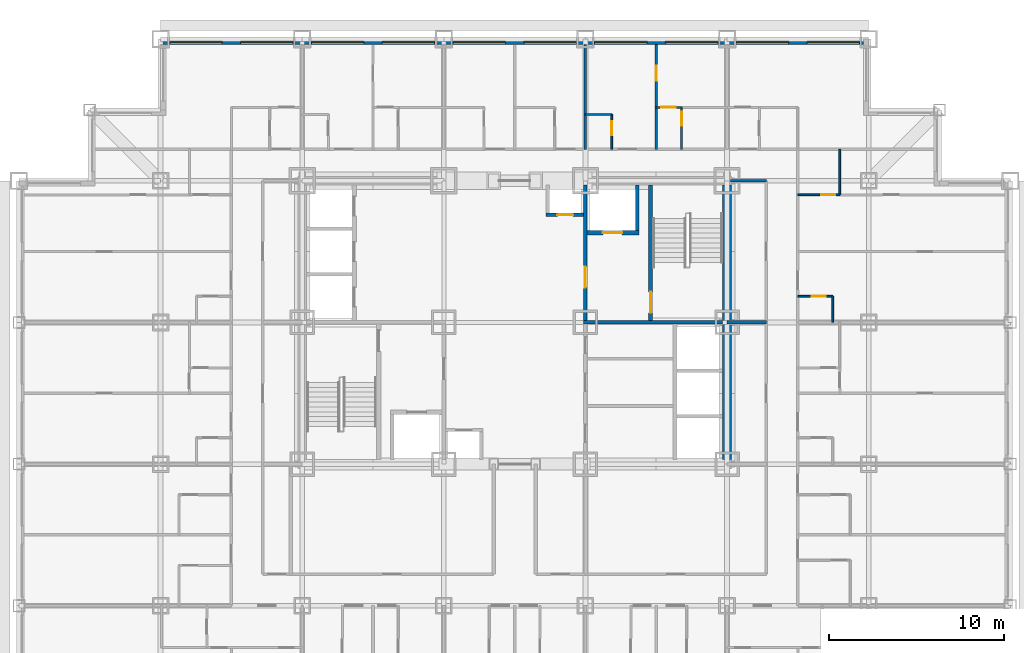
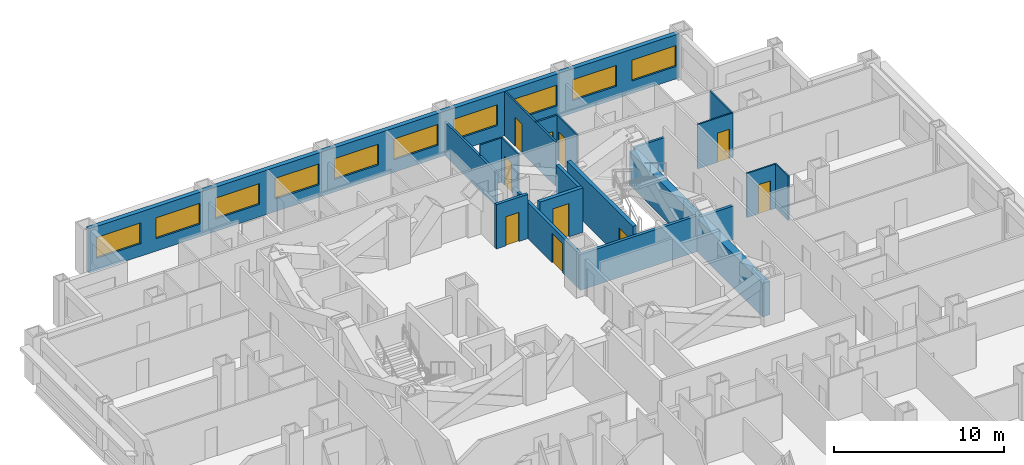
# One storey, part 9 of 11: 20 walls, 10 doors, 10 windows, 20 openings.
"""IFC4 building model written with IfcOpenShell, lengths in metres."""

from ifc_helpers import new_model, si_unit, direction, frame, frame_2d, origin, place, context, subcontext, project, spatial, rectangle, extrude, material, layer, layer_set, type_object, element, fill, save


model = new_model("IFC4")

# Units and contexts
model_context = context("Model", 3, precision=1e-05, world=origin(), true_north=direction((0.0, 1.0)))
body_context = subcontext(model_context, "Body", "Model", "MODEL_VIEW")
ifc_project = project(units=[si_unit("LENGTHUNIT", "METRE"), si_unit("AREAUNIT", "SQUARE_METRE"), si_unit("VOLUMEUNIT", "CUBIC_METRE"), si_unit("PLANEANGLEUNIT", "RADIAN"), si_unit("MASSUNIT", "GRAM", prefix="KILO")], contexts=[model_context])

# Site, building, storey
site_placement = place(None, origin())
site = spatial("IfcSite", under=ifc_project, at=site_placement, CompositionType="ELEMENT")
building_placement = place(site_placement, origin())
building = spatial("IfcBuilding", under=site, at=building_placement, Name="Kopane Lantern Tower", CompositionType="ELEMENT")
storey_placement = place(building_placement, frame((0.0, 0.0, 84.0)))
storey = spatial("IfcBuildingStorey", under=building, at=storey_placement, Name="L21", CompositionType="ELEMENT", Elevation=84.0)

# Wall, opening, door
ifc_material_1 = material(Name="Gypsum board on steel studs", Category="steel")
ifc_layer_1 = layer(ifc_material_1, 0.1201171875)
ifc_layer_set_1 = layer_set([ifc_layer_1], Name="APARTMENT INTERNAL WALL 120")
wall_type_1 = type_object("IfcWallType", Name="APARTMENT INTERNAL WALL 120", PredefinedType="PARTITIONING", material=ifc_layer_set_1)
wall_1_placement = place(storey_placement, frame((36.449951171875, 42.300048828125, 0.0), z_axis=(0.0, 0.0, 1.0), x_axis=(0.0, 1.0, 0.0)))
wall_1 = element("IfcWall", 1, at=wall_1_placement, inside=storey, type_object=wall_type_1, Name="Apartment Internal Wall 120 L21", PredefinedType="PARTITIONING", context=body_context, shape_type="SweptSolid", body=[
    extrude(rectangle(XDim=6.0, YDim=0.1201171875, at=frame_2d((3.0, 0.0))), origin(), (0.0, 0.0, 1.0), 3.18994140625),
])
opening_1_placement = place(wall_1_placement, frame((3.925048828125, 0.0, 0.0)))
opening_1 = element("IfcOpeningElement", 2, at=opening_1_placement, cuts=wall_1, Name="Opening L21-032", PredefinedType="OPENING", context=body_context, shape_type="SweptSolid", body=[
    extrude(rectangle(XDim=0.85009765625, YDim=2.10009765625, at=frame_2d((0.425048828125, 1.050048828125))), frame((0.0, 0.070068359375, 0.0), z_axis=(0.0, -1.0, 0.0), x_axis=(1.0, 0.0, 0.0)), (0.0, 0.0, 1.0), 0.14013671875),
])
ifc_material_2 = material(Name="Timber door set", Category="wood")
door_type_1 = type_object("IfcDoorType", Name="DOOR D4 850x2100", OperationType="SINGLE_SWING_LEFT", PredefinedType="DOOR", material=ifc_material_2)
door_1_placement = place(opening_1_placement, origin())
door_1 = element("IfcDoor", 3, at=door_1_placement, inside=storey, type_object=door_type_1, Name="Door L21-032", OperationType="SINGLE_SWING_RIGHT", OverallHeight=2.10009765625, OverallWidth=0.85009765625, PredefinedType="DOOR", context=body_context, shape_type="SweptSolid", body=[
    extrude(rectangle(XDim=0.85009765625, YDim=2.10009765625, at=frame_2d((0.425048828125, 1.050048828125))), frame((0.0, 0.02490234375, 0.0), z_axis=(0.0, -1.0, 0.0), x_axis=(1.0, 0.0, 0.0)), (0.0, 0.0, 1.0), 0.050048828125),
])
fill(opening_1, door_1)

wall_2_placement = place(storey_placement, frame((36.449951171875, 44.699951171875, 0.0), z_axis=(0.0, 0.0, 1.0), x_axis=(1.0, 0.0, 0.0)))
wall_2 = element("IfcWall", 4, at=wall_2_placement, inside=storey, type_object=wall_type_1, Name="Apartment Internal Wall 120 L21", PredefinedType="PARTITIONING", context=body_context, shape_type="SweptSolid", body=[
    extrude(rectangle(XDim=1.4599609375, YDim=0.1201171875, at=frame_2d((0.72998046875, 0.0))), origin(), (0.0, 0.0, 1.0), 3.18994140625),
])
opening_2_placement = place(wall_2_placement, frame((0.27490234375, 0.0, 0.0)))
opening_2 = element("IfcOpeningElement", 5, at=opening_2_placement, cuts=wall_2, Name="Opening L21-072", PredefinedType="OPENING", context=body_context, shape_type="SweptSolid", body=[
    extrude(rectangle(XDim=0.85009765625, YDim=2.10009765625, at=frame_2d((0.425048828125, 1.050048828125))), frame((0.0, 0.070068359375, 0.0), z_axis=(0.0, -1.0, 0.0), x_axis=(1.0, 0.0, 0.0)), (0.0, 0.0, 1.0), 0.14013671875),
])
door_2_placement = place(opening_2_placement, origin())
door_2 = element("IfcDoor", 6, at=door_2_placement, inside=storey, type_object=door_type_1, Name="Door L21-072", OperationType="SINGLE_SWING_LEFT", OverallHeight=2.10009765625, OverallWidth=0.85009765625, PredefinedType="DOOR", context=body_context, shape_type="SweptSolid", body=[
    extrude(rectangle(XDim=0.85009765625, YDim=2.10009765625, at=frame_2d((0.425048828125, 1.050048828125))), frame((0.0, 0.02490234375, 0.0), z_axis=(0.0, -1.0, 0.0), x_axis=(1.0, 0.0, 0.0)), (0.0, 0.0, 1.0), 0.050048828125),
])
fill(opening_2, door_2)

# Wall
ifc_material_3 = material(Name="Moisture-resistant board on steel studs", Category="steel")
ifc_layer_2 = layer(ifc_material_3, 0.10009765625)
ifc_layer_set_2 = layer_set([ifc_layer_2], Name="BATHROOM WALL 100")
wall_type_2 = type_object("IfcWallType", Name="BATHROOM WALL 100", PredefinedType="PARTITIONING", material=ifc_layer_set_2)
wall_3_placement = place(storey_placement, frame((32.39990234375, 44.300048828125, 0.0), z_axis=(0.0, 0.0, 1.0), x_axis=(1.0, 0.0, 0.0)))
element("IfcWall", 7, at=wall_3_placement, inside=storey, type_object=wall_type_2, Name="Bathroom Wall 100 L21", PredefinedType="PARTITIONING", context=body_context, shape_type="SweptSolid", body=[
    extrude(rectangle(XDim=1.5, YDim=0.10009765625, at=frame_2d((0.75, 0.0))), origin(), (0.0, 0.0, 1.0), 3.18994140625),
])

# Wall, opening, door
wall_4_placement = place(storey_placement, frame((33.89990234375, 42.300048828125, 0.0), z_axis=(0.0, 0.0, 1.0), x_axis=(0.0, 1.0, 0.0)))
wall_4 = element("IfcWall", 8, at=wall_4_placement, inside=storey, type_object=wall_type_2, Name="Bathroom Wall 100 L21", PredefinedType="PARTITIONING", context=body_context, shape_type="SweptSolid", body=[
    extrude(rectangle(XDim=2.0, YDim=0.10009765625, at=frame_2d((1.0, 0.0))), origin(), (0.0, 0.0, 1.0), 3.18994140625),
])
opening_3_placement = place(wall_4_placement, frame((0.800048828125, 0.0, 0.0)))
opening_3 = element("IfcOpeningElement", 9, at=opening_3_placement, cuts=wall_4, Name="Opening L21-029", PredefinedType="OPENING", context=body_context, shape_type="SweptSolid", body=[
    extrude(rectangle(XDim=0.800048828125, YDim=2.10009765625, at=frame_2d((0.39990234375, 1.050048828125))), frame((0.0, 0.06005859375, 0.0), z_axis=(0.0, -1.0, 0.0), x_axis=(1.0, 0.0, 0.0)), (0.0, 0.0, 1.0), 0.1201171875),
])
ifc_material_4 = material(Name="Timber door set", Category="wood")
door_type_2 = type_object("IfcDoorType", Name="DOOR D2 800x2100", OperationType="SINGLE_SWING_LEFT", PredefinedType="DOOR", material=ifc_material_4)
door_3_placement = place(opening_3_placement, origin())
door_3 = element("IfcDoor", 10, at=door_3_placement, inside=storey, type_object=door_type_2, Name="Door L21-029", OperationType="SINGLE_SWING_RIGHT", OverallHeight=2.10009765625, OverallWidth=0.800048828125, PredefinedType="DOOR", context=body_context, shape_type="SweptSolid", body=[
    extrude(rectangle(XDim=0.800048828125, YDim=2.10009765625, at=frame_2d((0.39990234375, 1.050048828125))), frame((0.0, 0.02490234375, 0.0), z_axis=(0.0, -1.0, 0.0), x_axis=(1.0, 0.0, 0.0)), (0.0, 0.0, 1.0), 0.050048828125),
])
fill(opening_3, door_3)

wall_5_placement = place(storey_placement, frame((37.89990234375, 42.300048828125, 0.0), z_axis=(0.0, 0.0, 1.0), x_axis=(0.0, 1.0, 0.0)))
wall_5 = element("IfcWall", 11, at=wall_5_placement, inside=storey, type_object=wall_type_2, Name="Bathroom Wall 100 L21", PredefinedType="PARTITIONING", context=body_context, shape_type="SweptSolid", body=[
    extrude(rectangle(XDim=2.39990234375, YDim=0.10009765625, at=frame_2d((1.199951171875, 0.0))), origin(), (0.0, 0.0, 1.0), 3.18994140625),
])
opening_4_placement = place(wall_5_placement, frame((1.35009765625, 0.0, 0.0)))
opening_4 = element("IfcOpeningElement", 12, at=opening_4_placement, cuts=wall_5, Name="Opening L21-031", PredefinedType="OPENING", context=body_context, shape_type="SweptSolid", body=[
    extrude(rectangle(XDim=0.800048828125, YDim=2.10009765625, at=frame_2d((0.39990234375, 1.050048828125))), frame((0.0, 0.06005859375, 0.0), z_axis=(0.0, -1.0, 0.0), x_axis=(1.0, 0.0, 0.0)), (0.0, 0.0, 1.0), 0.1201171875),
])
door_4_placement = place(opening_4_placement, origin())
door_4 = element("IfcDoor", 13, at=door_4_placement, inside=storey, type_object=door_type_2, Name="Door L21-031", OperationType="SINGLE_SWING_RIGHT", OverallHeight=2.10009765625, OverallWidth=0.800048828125, PredefinedType="DOOR", context=body_context, shape_type="SweptSolid", body=[
    extrude(rectangle(XDim=0.800048828125, YDim=2.10009765625, at=frame_2d((0.39990234375, 1.050048828125))), frame((0.0, 0.02490234375, 0.0), z_axis=(0.0, -1.0, 0.0), x_axis=(1.0, 0.0, 0.0)), (0.0, 0.0, 1.0), 0.050048828125),
])
fill(opening_4, door_4)

# Wall
wall_6_placement = place(storey_placement, frame((46.550048828125, 32.39990234375, 0.0), z_axis=(0.0, 0.0, 1.0), x_axis=(0.0, 1.0, 0.0)))
element("IfcWall", 14, at=wall_6_placement, inside=storey, type_object=wall_type_2, Name="Bathroom Wall 100 L21", PredefinedType="PARTITIONING", context=body_context, shape_type="SweptSolid", body=[
    extrude(rectangle(XDim=1.5, YDim=0.10009765625, at=frame_2d((0.75, 0.0))), origin(), (0.0, 0.0, 1.0), 3.18994140625),
])

# Wall, opening, door
wall_7_placement = place(storey_placement, frame((44.550048828125, 33.89990234375, 0.0), z_axis=(0.0, 0.0, 1.0), x_axis=(1.0, 0.0, 0.0)))
wall_7 = element("IfcWall", 15, at=wall_7_placement, inside=storey, type_object=wall_type_2, Name="Bathroom Wall 100 L21", PredefinedType="PARTITIONING", context=body_context, shape_type="SweptSolid", body=[
    extrude(rectangle(XDim=2.0, YDim=0.10009765625, at=frame_2d((1.0, 0.0))), origin(), (0.0, 0.0, 1.0), 3.18994140625),
])
opening_5_placement = place(wall_7_placement, frame((0.800048828125, 0.0, 0.0)))
opening_5 = element("IfcOpeningElement", 16, at=opening_5_placement, cuts=wall_7, Name="Opening L21-053", PredefinedType="OPENING", context=body_context, shape_type="SweptSolid", body=[
    extrude(rectangle(XDim=0.800048828125, YDim=2.10009765625, at=frame_2d((0.39990234375, 1.050048828125))), frame((0.0, 0.06005859375, 0.0), z_axis=(0.0, -1.0, 0.0), x_axis=(1.0, 0.0, 0.0)), (0.0, 0.0, 1.0), 0.1201171875),
])
door_5_placement = place(opening_5_placement, origin())
door_5 = element("IfcDoor", 17, at=door_5_placement, inside=storey, type_object=door_type_2, Name="Door L21-053", OperationType="SINGLE_SWING_LEFT", OverallHeight=2.10009765625, OverallWidth=0.800048828125, PredefinedType="DOOR", context=body_context, shape_type="SweptSolid", body=[
    extrude(rectangle(XDim=0.800048828125, YDim=2.10009765625, at=frame_2d((0.39990234375, 1.050048828125))), frame((0.0, 0.02490234375, 0.0), z_axis=(0.0, -1.0, 0.0), x_axis=(1.0, 0.0, 0.0)), (0.0, 0.0, 1.0), 0.050048828125),
])
fill(opening_5, door_5)

# Wall
wall_8_placement = place(storey_placement, frame((46.949951171875, 39.699951171875, 0.0), z_axis=(0.0, 0.0, 1.0), x_axis=(0.0, 1.0, 0.0)))
element("IfcWall", 18, at=wall_8_placement, inside=storey, type_object=wall_type_2, Name="Bathroom Wall 100 L21", PredefinedType="PARTITIONING", context=body_context, shape_type="SweptSolid", body=[
    extrude(rectangle(XDim=2.60009765625, YDim=0.10009765625, at=frame_2d((1.300048828125, 0.0))), origin(), (0.0, 0.0, 1.0), 3.18994140625),
])

# Wall, opening, door
wall_9_placement = place(storey_placement, frame((44.550048828125, 39.699951171875, 0.0), z_axis=(0.0, 0.0, 1.0), x_axis=(1.0, 0.0, 0.0)))
wall_9 = element("IfcWall", 19, at=wall_9_placement, inside=storey, type_object=wall_type_2, Name="Bathroom Wall 100 L21", PredefinedType="PARTITIONING", context=body_context, shape_type="SweptSolid", body=[
    extrude(rectangle(XDim=2.39990234375, YDim=0.10009765625, at=frame_2d((1.199951171875, 0.0))), origin(), (0.0, 0.0, 1.0), 3.18994140625),
])
opening_6_placement = place(wall_9_placement, frame((1.35009765625, 0.0, 0.0)))
opening_6 = element("IfcOpeningElement", 20, at=opening_6_placement, cuts=wall_9, Name="Opening L21-055", PredefinedType="OPENING", context=body_context, shape_type="SweptSolid", body=[
    extrude(rectangle(XDim=0.800048828125, YDim=2.10009765625, at=frame_2d((0.39990234375, 1.050048828125))), frame((0.0, 0.06005859375, 0.0), z_axis=(0.0, -1.0, 0.0), x_axis=(1.0, 0.0, 0.0)), (0.0, 0.0, 1.0), 0.1201171875),
])
door_6_placement = place(opening_6_placement, origin())
door_6 = element("IfcDoor", 21, at=door_6_placement, inside=storey, type_object=door_type_2, Name="Door L21-055", OperationType="SINGLE_SWING_RIGHT", OverallHeight=2.10009765625, OverallWidth=0.800048828125, PredefinedType="DOOR", context=body_context, shape_type="SweptSolid", body=[
    extrude(rectangle(XDim=0.800048828125, YDim=2.10009765625, at=frame_2d((0.39990234375, 1.050048828125))), frame((0.0, 0.02490234375, 0.0), z_axis=(0.0, -1.0, 0.0), x_axis=(1.0, 0.0, 0.0)), (0.0, 0.0, 1.0), 0.050048828125),
])
fill(opening_6, door_6)

# Wall
ifc_material_5 = material(Name="Gypsum shaft wall EI 120", Category="gypsum")
ifc_layer_3 = layer(ifc_material_5, 0.5)
ifc_layer_set_3 = layer_set([ifc_layer_3], Name="CORE PERIMETER WALL 500 EI 120")
wall_type_3 = type_object("IfcWallType", Name="CORE PERIMETER WALL 500 EI 120", PredefinedType="SOLIDWALL", material=ifc_layer_set_3)
wall_10_placement = place(storey_placement, frame((40.5, 24.550048828125, 0.0), z_axis=(0.0, 0.0, 1.0), x_axis=(0.0, 1.0, 0.0)))
element("IfcWall", 22, at=wall_10_placement, inside=storey, type_object=wall_type_3, Name="Core shaft wall L21 PE", PredefinedType="SOLIDWALL", context=body_context, shape_type="SweptSolid", body=[
    extrude(rectangle(XDim=15.699951171875, YDim=0.5, at=frame_2d((7.85009765625, 0.0))), origin(), (0.0, 0.0, 1.0), 2.427734375),
])

# Wall, opening, door
ifc_material_6 = material(Name="Gypsum shaft wall EI 120", Category="gypsum")
ifc_layer_4 = layer(ifc_material_6, 0.25)
ifc_layer_set_4 = layer_set([ifc_layer_4], Name="CORE SHAFT WALL 250 EI 120")
wall_type_4 = type_object("IfcWallType", Name="CORE SHAFT WALL 250 EI 120", PredefinedType="SOLIDWALL", material=ifc_layer_set_4)
wall_11_placement = place(storey_placement, frame((36.125, 32.5, 0.0), z_axis=(0.0, 0.0, 1.0), x_axis=(0.0, 1.0, 0.0)))
wall_11 = element("IfcWall", 23, at=wall_11_placement, inside=storey, type_object=wall_type_4, Name="Core shaft wall L21 XST2", PredefinedType="SOLIDWALL", context=body_context, shape_type="SweptSolid", body=[
    extrude(rectangle(XDim=7.75, YDim=0.25, at=frame_2d((3.875, 0.0))), origin(), (0.0, 0.0, 1.0), 3.18994140625),
])
opening_7_placement = place(wall_11_placement, frame((0.449951171875, 0.0, 0.0)))
opening_7 = element("IfcOpeningElement", 24, at=opening_7_placement, cuts=wall_11, Name="Opening 21.SD2", PredefinedType="OPENING", context=body_context, shape_type="SweptSolid", body=[
    extrude(rectangle(XDim=1.199951171875, YDim=2.10009765625, at=frame_2d((0.60009765625, 1.050048828125))), frame((0.0, 0.135009765625, 0.0), z_axis=(0.0, -1.0, 0.0), x_axis=(1.0, 0.0, 0.0)), (0.0, 0.0, 1.0), 0.27001953125),
])
ifc_material_7 = material(Name="Steel door set", Category="steel")
door_type_3 = type_object("IfcDoorType", Name="STAIR DOOR 1200x2100 FD60S", OperationType="SINGLE_SWING_LEFT", PredefinedType="DOOR", material=ifc_material_7)
door_7_placement = place(opening_7_placement, origin())
door_7 = element("IfcDoor", 25, at=door_7_placement, inside=storey, type_object=door_type_3, Name="Stair door ST2 L21", OperationType="SINGLE_SWING_RIGHT", OverallHeight=2.10009765625, OverallWidth=1.199951171875, PredefinedType="DOOR", context=body_context, shape_type="SweptSolid", body=[
    extrude(rectangle(XDim=1.199951171875, YDim=2.10009765625, at=frame_2d((0.60009765625, 1.050048828125))), frame((0.0, 0.02490234375, 0.0), z_axis=(0.0, -1.0, 0.0), x_axis=(1.0, 0.0, 0.0)), (0.0, 0.0, 1.0), 0.050048828125),
])
fill(opening_7, door_7)

wall_12_placement = place(storey_placement, frame((32.5, 37.52490234375, 0.0), z_axis=(0.0, 0.0, 1.0), x_axis=(1.0, 0.0, 0.0)))
wall_12 = element("IfcWall", 26, at=wall_12_placement, inside=storey, type_object=wall_type_4, Name="Core shaft wall L21 YLF2", PredefinedType="SOLIDWALL", context=body_context, shape_type="SweptSolid", body=[
    extrude(rectangle(XDim=2.949951171875, YDim=0.25, at=frame_2d((1.47509765625, 0.0))), origin(), (0.0, 0.0, 1.0), 3.18994140625),
])
opening_8_placement = place(wall_12_placement, frame((0.89990234375, 0.0, 0.0)))
opening_8 = element("IfcOpeningElement", 27, at=opening_8_placement, cuts=wall_12, Name="Opening 21.LD-LF2", PredefinedType="OPENING", context=body_context, shape_type="SweptSolid", body=[
    extrude(rectangle(XDim=1.10009765625, YDim=2.39990234375, at=frame_2d((0.550048828125, 1.199951171875))), frame((0.0, 0.135009765625, 0.0), z_axis=(0.0, -1.0, 0.0), x_axis=(1.0, 0.0, 0.0)), (0.0, 0.0, 1.0), 0.27001953125),
])
ifc_material_8 = material(Name="Steel door set", Category="steel")
door_type_4 = type_object("IfcDoorType", Name="LIFT LANDING DOOR 1100x2400 FD60", OperationType="DOUBLE_DOOR_SLIDING", PredefinedType="DOOR", material=ifc_material_8)
door_8_placement = place(opening_8_placement, origin())
door_8 = element("IfcDoor", 28, at=door_8_placement, inside=storey, type_object=door_type_4, Name="Landing door LF2 L21", OperationType="DOUBLE_DOOR_SLIDING", OverallHeight=2.39990234375, OverallWidth=1.10009765625, PredefinedType="DOOR", context=body_context, shape_type="SweptSolid", body=[
    extrude(rectangle(XDim=1.10009765625, YDim=2.39990234375, at=frame_2d((0.550048828125, 1.199951171875))), frame((0.0, 0.02490234375, 0.0), z_axis=(0.0, -1.0, 0.0), x_axis=(1.0, 0.0, 0.0)), (0.0, 0.0, 1.0), 0.050048828125),
])
fill(opening_8, door_8)

# Walls
ifc_material_9 = material(Name="Gypsum board on steel studs", Category="steel")
ifc_layer_5 = layer(ifc_material_9, 0.14990234375)
ifc_layer_set_5 = layer_set([ifc_layer_5], Name="CORRIDOR WALL 150 EI 60")
wall_type_5 = type_object("IfcWallType", Name="CORRIDOR WALL 150 EI 60", PredefinedType="PARTITIONING", material=ifc_layer_set_5)
wall_13_placement = place(storey_placement, frame((42.75, 40.5, 0.0), z_axis=(0.0, 0.0, 1.0), x_axis=(-1.0, 0.0, 0.0)))
element("IfcWall", 29, at=wall_13_placement, inside=storey, type_object=wall_type_5, Name="Corridor Wall 150 Ei 60 L21", PredefinedType="PARTITIONING", context=body_context, shape_type="SweptSolid", body=[
    extrude(rectangle(XDim=2.050048828125, YDim=0.14990234375, at=frame_2d((1.02490234375, 0.0))), origin(), (0.0, 0.0, 1.0), 2.427734375),
])
ifc_material_10 = material(Name="Gypsum board on steel studs", Category="steel")
ifc_layer_6 = layer(ifc_material_10, 0.14990234375)
ifc_layer_set_6 = layer_set([ifc_layer_6], Name="DEMISING WALL 150 EI 60")
wall_type_6 = type_object("IfcWallType", Name="DEMISING WALL 150 EI 60", PredefinedType="PARTITIONING", material=ifc_layer_set_6)
wall_14_placement = place(storey_placement, frame((32.39990234375, 42.300048828125, 0.0), z_axis=(0.0, 0.0, 1.0), x_axis=(0.0, 1.0, 0.0)))
element("IfcWall", 30, at=wall_14_placement, inside=storey, type_object=wall_type_6, Name="Demising Wall 150 Ei 60 L21", PredefinedType="PARTITIONING", context=body_context, shape_type="SweptSolid", body=[
    extrude(rectangle(XDim=6.0, YDim=0.14990234375, at=frame_2d((3.0, 0.0))), origin(), (0.0, 0.0, 1.0), 2.427734375),
])

# Wall, openings, windows
ifc_material_11 = material(Name="Terracotta rainscreen on light steel framing", Category="masonry")
ifc_layer_7 = layer(ifc_material_11, 0.300048828125)
ifc_layer_set_7 = layer_set([ifc_layer_7], Name="EXTERNAL WALL EW1 300 TERRACOTTA")
wall_type_7 = type_object("IfcWallType", Name="EXTERNAL WALL EW1 300 TERRACOTTA", PredefinedType="SOLIDWALL", material=ifc_layer_set_7)
wall_15_placement = place(storey_placement, frame((48.300048828125, 48.449951171875, 0.0), z_axis=(0.0, 0.0, 1.0), x_axis=(-1.0, 0.0, 0.0)))
wall_15 = element("IfcWall", 31, at=wall_15_placement, inside=storey, type_object=wall_type_7, Name="External wall N L21", PredefinedType="SOLIDWALL", context=body_context, shape_type="SweptSolid", body=[
    extrude(rectangle(XDim=40.199951171875, YDim=0.300048828125, at=frame_2d((20.10009765625, 0.0))), origin(), (0.0, 0.0, 1.0), 3.18994140625),
])
opening_9_placement = place(wall_15_placement, frame((0.22509765625, 0.0, 0.89990234375)))
opening_9 = element("IfcOpeningElement", 32, at=opening_9_placement, cuts=wall_15, Name="Opening WR300150", PredefinedType="OPENING", context=body_context, shape_type="SweptSolid", body=[
    extrude(rectangle(XDim=3.0, YDim=1.5, at=frame_2d((1.5, 0.75))), frame((0.0, 0.159912109375, 0.0), z_axis=(0.0, -1.0, 0.0), x_axis=(1.0, 0.0, 0.0)), (0.0, 0.0, 1.0), 0.320068359375),
])
opening_10_placement = place(wall_15_placement, frame((4.27490234375, 0.0, 0.89990234375)))
opening_10 = element("IfcOpeningElement", 33, at=opening_10_placement, cuts=wall_15, Name="Opening WR300150", PredefinedType="OPENING", context=body_context, shape_type="SweptSolid", body=[
    extrude(rectangle(XDim=3.0, YDim=1.5, at=frame_2d((1.5, 0.75))), frame((0.0, 0.159912109375, 0.0), z_axis=(0.0, -1.0, 0.0), x_axis=(1.0, 0.0, 0.0)), (0.0, 0.0, 1.0), 0.320068359375),
])
opening_11_placement = place(wall_15_placement, frame((8.324951171875, 0.0, 0.89990234375)))
opening_11 = element("IfcOpeningElement", 34, at=opening_11_placement, cuts=wall_15, Name="Opening WR300150", PredefinedType="OPENING", context=body_context, shape_type="SweptSolid", body=[
    extrude(rectangle(XDim=3.0, YDim=1.5, at=frame_2d((1.5, 0.75))), frame((0.0, 0.159912109375, 0.0), z_axis=(0.0, -1.0, 0.0), x_axis=(1.0, 0.0, 0.0)), (0.0, 0.0, 1.0), 0.320068359375),
])
opening_12_placement = place(wall_15_placement, frame((12.375, 0.0, 0.89990234375)))
opening_12 = element("IfcOpeningElement", 35, at=opening_12_placement, cuts=wall_15, Name="Opening WR300150", PredefinedType="OPENING", context=body_context, shape_type="SweptSolid", body=[
    extrude(rectangle(XDim=3.0, YDim=1.5, at=frame_2d((1.5, 0.75))), frame((0.0, 0.159912109375, 0.0), z_axis=(0.0, -1.0, 0.0), x_axis=(1.0, 0.0, 0.0)), (0.0, 0.0, 1.0), 0.320068359375),
])
opening_13_placement = place(wall_15_placement, frame((16.425048828125, 0.0, 0.89990234375)))
opening_13 = element("IfcOpeningElement", 36, at=opening_13_placement, cuts=wall_15, Name="Opening WR300150", PredefinedType="OPENING", context=body_context, shape_type="SweptSolid", body=[
    extrude(rectangle(XDim=3.0, YDim=1.5, at=frame_2d((1.5, 0.75))), frame((0.0, 0.159912109375, 0.0), z_axis=(0.0, -1.0, 0.0), x_axis=(1.0, 0.0, 0.0)), (0.0, 0.0, 1.0), 0.320068359375),
])
opening_14_placement = place(wall_15_placement, frame((20.47509765625, 0.0, 0.89990234375)))
opening_14 = element("IfcOpeningElement", 37, at=opening_14_placement, cuts=wall_15, Name="Opening WR300150", PredefinedType="OPENING", context=body_context, shape_type="SweptSolid", body=[
    extrude(rectangle(XDim=3.0, YDim=1.5, at=frame_2d((1.5, 0.75))), frame((0.0, 0.159912109375, 0.0), z_axis=(0.0, -1.0, 0.0), x_axis=(1.0, 0.0, 0.0)), (0.0, 0.0, 1.0), 0.320068359375),
])
opening_15_placement = place(wall_15_placement, frame((24.52490234375, 0.0, 0.89990234375)))
opening_15 = element("IfcOpeningElement", 38, at=opening_15_placement, cuts=wall_15, Name="Opening WR300150", PredefinedType="OPENING", context=body_context, shape_type="SweptSolid", body=[
    extrude(rectangle(XDim=3.0, YDim=1.5, at=frame_2d((1.5, 0.75))), frame((0.0, 0.159912109375, 0.0), z_axis=(0.0, -1.0, 0.0), x_axis=(1.0, 0.0, 0.0)), (0.0, 0.0, 1.0), 0.320068359375),
])
opening_16_placement = place(wall_15_placement, frame((28.574951171875, 0.0, 0.89990234375)))
opening_16 = element("IfcOpeningElement", 39, at=opening_16_placement, cuts=wall_15, Name="Opening WR300150", PredefinedType="OPENING", context=body_context, shape_type="SweptSolid", body=[
    extrude(rectangle(XDim=3.0, YDim=1.5, at=frame_2d((1.5, 0.75))), frame((0.0, 0.159912109375, 0.0), z_axis=(0.0, -1.0, 0.0), x_axis=(1.0, 0.0, 0.0)), (0.0, 0.0, 1.0), 0.320068359375),
])
opening_17_placement = place(wall_15_placement, frame((32.625, 0.0, 0.89990234375)))
opening_17 = element("IfcOpeningElement", 40, at=opening_17_placement, cuts=wall_15, Name="Opening WR300150", PredefinedType="OPENING", context=body_context, shape_type="SweptSolid", body=[
    extrude(rectangle(XDim=3.0, YDim=1.5, at=frame_2d((1.5, 0.75))), frame((0.0, 0.159912109375, 0.0), z_axis=(0.0, -1.0, 0.0), x_axis=(1.0, 0.0, 0.0)), (0.0, 0.0, 1.0), 0.320068359375),
])
opening_18_placement = place(wall_15_placement, frame((36.675048828125, 0.0, 0.89990234375)))
opening_18 = element("IfcOpeningElement", 41, at=opening_18_placement, cuts=wall_15, Name="Opening WR300150", PredefinedType="OPENING", context=body_context, shape_type="SweptSolid", body=[
    extrude(rectangle(XDim=3.0, YDim=1.5, at=frame_2d((1.5, 0.75))), frame((0.0, 0.159912109375, 0.0), z_axis=(0.0, -1.0, 0.0), x_axis=(1.0, 0.0, 0.0)), (0.0, 0.0, 1.0), 0.320068359375),
])
ifc_material_12 = material(Name="Aluminium and clear glass", Category="aluminium")
window_type = type_object("IfcWindowType", Name="RIBBON WINDOW WR300150 3000x1500", PartitioningType="SINGLE_PANEL", PredefinedType="WINDOW", material=ifc_material_12)
window_1_placement = place(opening_9_placement, origin())
window_1 = element("IfcWindow", 42, at=window_1_placement, inside=storey, type_object=window_type, Name="Window N L21", OverallHeight=1.5, OverallWidth=3.0, PartitioningType="SINGLE_PANEL", PredefinedType="WINDOW", context=body_context, shape_type="SweptSolid", body=[
    extrude(rectangle(XDim=3.0, YDim=1.5, at=frame_2d((1.5, 0.75))), frame((0.0, 0.030029296875, 0.0), z_axis=(0.0, -1.0, 0.0), x_axis=(1.0, 0.0, 0.0)), (0.0, 0.0, 1.0), 0.06005859375),
])
fill(opening_9, window_1)
window_2_placement = place(opening_10_placement, origin())
window_2 = element("IfcWindow", 43, at=window_2_placement, inside=storey, type_object=window_type, Name="Window N L21", OverallHeight=1.5, OverallWidth=3.0, PartitioningType="SINGLE_PANEL", PredefinedType="WINDOW", context=body_context, shape_type="SweptSolid", body=[
    extrude(rectangle(XDim=3.0, YDim=1.5, at=frame_2d((1.5, 0.75))), frame((0.0, 0.030029296875, 0.0), z_axis=(0.0, -1.0, 0.0), x_axis=(1.0, 0.0, 0.0)), (0.0, 0.0, 1.0), 0.06005859375),
])
fill(opening_10, window_2)
window_3_placement = place(opening_11_placement, origin())
window_3 = element("IfcWindow", 44, at=window_3_placement, inside=storey, type_object=window_type, Name="Window N L21", OverallHeight=1.5, OverallWidth=3.0, PartitioningType="SINGLE_PANEL", PredefinedType="WINDOW", context=body_context, shape_type="SweptSolid", body=[
    extrude(rectangle(XDim=3.0, YDim=1.5, at=frame_2d((1.5, 0.75))), frame((0.0, 0.030029296875, 0.0), z_axis=(0.0, -1.0, 0.0), x_axis=(1.0, 0.0, 0.0)), (0.0, 0.0, 1.0), 0.06005859375),
])
fill(opening_11, window_3)
window_4_placement = place(opening_12_placement, origin())
window_4 = element("IfcWindow", 45, at=window_4_placement, inside=storey, type_object=window_type, Name="Window N L21", OverallHeight=1.5, OverallWidth=3.0, PartitioningType="SINGLE_PANEL", PredefinedType="WINDOW", context=body_context, shape_type="SweptSolid", body=[
    extrude(rectangle(XDim=3.0, YDim=1.5, at=frame_2d((1.5, 0.75))), frame((0.0, 0.030029296875, 0.0), z_axis=(0.0, -1.0, 0.0), x_axis=(1.0, 0.0, 0.0)), (0.0, 0.0, 1.0), 0.06005859375),
])
fill(opening_12, window_4)
window_5_placement = place(opening_13_placement, origin())
window_5 = element("IfcWindow", 46, at=window_5_placement, inside=storey, type_object=window_type, Name="Window N L21", OverallHeight=1.5, OverallWidth=3.0, PartitioningType="SINGLE_PANEL", PredefinedType="WINDOW", context=body_context, shape_type="SweptSolid", body=[
    extrude(rectangle(XDim=3.0, YDim=1.5, at=frame_2d((1.5, 0.75))), frame((0.0, 0.030029296875, 0.0), z_axis=(0.0, -1.0, 0.0), x_axis=(1.0, 0.0, 0.0)), (0.0, 0.0, 1.0), 0.06005859375),
])
fill(opening_13, window_5)
window_6_placement = place(opening_14_placement, origin())
window_6 = element("IfcWindow", 47, at=window_6_placement, inside=storey, type_object=window_type, Name="Window N L21", OverallHeight=1.5, OverallWidth=3.0, PartitioningType="SINGLE_PANEL", PredefinedType="WINDOW", context=body_context, shape_type="SweptSolid", body=[
    extrude(rectangle(XDim=3.0, YDim=1.5, at=frame_2d((1.5, 0.75))), frame((0.0, 0.030029296875, 0.0), z_axis=(0.0, -1.0, 0.0), x_axis=(1.0, 0.0, 0.0)), (0.0, 0.0, 1.0), 0.06005859375),
])
fill(opening_14, window_6)
window_7_placement = place(opening_15_placement, origin())
window_7 = element("IfcWindow", 48, at=window_7_placement, inside=storey, type_object=window_type, Name="Window N L21", OverallHeight=1.5, OverallWidth=3.0, PartitioningType="SINGLE_PANEL", PredefinedType="WINDOW", context=body_context, shape_type="SweptSolid", body=[
    extrude(rectangle(XDim=3.0, YDim=1.5, at=frame_2d((1.5, 0.75))), frame((0.0, 0.030029296875, 0.0), z_axis=(0.0, -1.0, 0.0), x_axis=(1.0, 0.0, 0.0)), (0.0, 0.0, 1.0), 0.06005859375),
])
fill(opening_15, window_7)
window_8_placement = place(opening_16_placement, origin())
window_8 = element("IfcWindow", 49, at=window_8_placement, inside=storey, type_object=window_type, Name="Window N L21", OverallHeight=1.5, OverallWidth=3.0, PartitioningType="SINGLE_PANEL", PredefinedType="WINDOW", context=body_context, shape_type="SweptSolid", body=[
    extrude(rectangle(XDim=3.0, YDim=1.5, at=frame_2d((1.5, 0.75))), frame((0.0, 0.030029296875, 0.0), z_axis=(0.0, -1.0, 0.0), x_axis=(1.0, 0.0, 0.0)), (0.0, 0.0, 1.0), 0.06005859375),
])
fill(opening_16, window_8)
window_9_placement = place(opening_17_placement, origin())
window_9 = element("IfcWindow", 50, at=window_9_placement, inside=storey, type_object=window_type, Name="Window N L21", OverallHeight=1.5, OverallWidth=3.0, PartitioningType="SINGLE_PANEL", PredefinedType="WINDOW", context=body_context, shape_type="SweptSolid", body=[
    extrude(rectangle(XDim=3.0, YDim=1.5, at=frame_2d((1.5, 0.75))), frame((0.0, 0.030029296875, 0.0), z_axis=(0.0, -1.0, 0.0), x_axis=(1.0, 0.0, 0.0)), (0.0, 0.0, 1.0), 0.06005859375),
])
fill(opening_17, window_9)
window_10_placement = place(opening_18_placement, origin())
window_10 = element("IfcWindow", 51, at=window_10_placement, inside=storey, type_object=window_type, Name="Window N L21", OverallHeight=1.5, OverallWidth=3.0, PartitioningType="SINGLE_PANEL", PredefinedType="WINDOW", context=body_context, shape_type="SweptSolid", body=[
    extrude(rectangle(XDim=3.0, YDim=1.5, at=frame_2d((1.5, 0.75))), frame((0.0, 0.030029296875, 0.0), z_axis=(0.0, -1.0, 0.0), x_axis=(1.0, 0.0, 0.0)), (0.0, 0.0, 1.0), 0.06005859375),
])
fill(opening_18, window_10)

# Walls
ifc_material_13 = material(Name="Concrete masonry", Category="masonry")
ifc_layer_8 = layer(ifc_material_13, 0.199951171875)
ifc_layer_set_8 = layer_set([ifc_layer_8], Name="PLANT ROOM WALL 200 EI 120")
wall_type_8 = type_object("IfcWallType", Name="PLANT ROOM WALL 200 EI 120", PredefinedType="SOLIDWALL", material=ifc_layer_set_8)
wall_16_placement = place(storey_placement, frame((40.5, 32.39990234375, 0.0), z_axis=(0.0, 0.0, 1.0), x_axis=(1.0, 0.0, 0.0)))
element("IfcWall", 52, at=wall_16_placement, inside=storey, type_object=wall_type_8, Name="Plant Room Wall 200 Ei 120 L21", PredefinedType="SOLIDWALL", context=body_context, shape_type="SweptSolid", body=[
    extrude(rectangle(XDim=2.25, YDim=0.199951171875, at=frame_2d((1.125, 0.0))), origin(), (0.0, 0.0, 1.0), 2.427734375),
])
ifc_material_14 = material(Name="Gypsum shaft wall EI 120", Category="gypsum")
ifc_layer_9 = layer(ifc_material_14, 0.199951171875)
ifc_layer_set_9 = layer_set([ifc_layer_9], Name="SHAFT WALL 200 EI 120")
wall_type_9 = type_object("IfcWallType", Name="SHAFT WALL 200 EI 120", PredefinedType="SOLIDWALL", material=ifc_layer_set_9)
wall_17_placement = place(storey_placement, frame((32.300048828125, 32.39990234375, 0.0), z_axis=(0.0, 0.0, 1.0), x_axis=(1.0, 0.0, 0.0)))
element("IfcWall", 53, at=wall_17_placement, inside=storey, type_object=wall_type_9, Name="Core shaft wall L21 Y324E", PredefinedType="SOLIDWALL", context=body_context, shape_type="SweptSolid", body=[
    extrude(rectangle(XDim=7.949951171875, YDim=0.199951171875, at=frame_2d((3.97509765625, 0.0))), origin(), (0.0, 0.0, 1.0), 2.577880859375),
])

# Wall, opening, door
wall_18_placement = place(storey_placement, frame((32.39990234375, 32.5, 0.0), z_axis=(0.0, 0.0, 1.0), x_axis=(0.0, 1.0, 0.0)))
wall_18 = element("IfcWall", 54, at=wall_18_placement, inside=storey, type_object=wall_type_9, Name="Core shaft wall L21 X324", PredefinedType="SOLIDWALL", context=body_context, shape_type="SweptSolid", body=[
    extrude(rectangle(XDim=7.75, YDim=0.199951171875, at=frame_2d((3.875, 0.0))), origin(), (0.0, 0.0, 1.0), 2.577880859375),
])
opening_19_placement = place(wall_18_placement, frame((1.89990234375, 0.0, 0.0)))
opening_19 = element("IfcOpeningElement", 55, at=opening_19_placement, cuts=wall_18, Name="Opening 21.FL2", PredefinedType="OPENING", context=body_context, shape_type="SweptSolid", body=[
    extrude(rectangle(XDim=1.199951171875, YDim=2.10009765625, at=frame_2d((0.60009765625, 1.050048828125))), frame((0.0, 0.10986328125, 0.0), z_axis=(0.0, -1.0, 0.0), x_axis=(1.0, 0.0, 0.0)), (0.0, 0.0, 1.0), 0.219970703125),
])
ifc_material_15 = material(Name="Steel door set", Category="steel")
door_type_5 = type_object("IfcDoorType", Name="FIREFIGHTING LOBBY DOOR 1200x2100 FD60S", OperationType="SINGLE_SWING_RIGHT", PredefinedType="DOOR", material=ifc_material_15)
door_9_placement = place(opening_19_placement, origin())
door_9 = element("IfcDoor", 56, at=door_9_placement, inside=storey, type_object=door_type_5, Name="Firefighting lobby door FL2 L21", OperationType="SINGLE_SWING_LEFT", OverallHeight=2.10009765625, OverallWidth=1.199951171875, PredefinedType="DOOR", context=body_context, shape_type="SweptSolid", body=[
    extrude(rectangle(XDim=1.199951171875, YDim=2.10009765625, at=frame_2d((0.60009765625, 1.050048828125))), frame((0.0, 0.02490234375, 0.0), z_axis=(0.0, -1.0, 0.0), x_axis=(1.0, 0.0, 0.0)), (0.0, 0.0, 1.0), 0.050048828125),
])
fill(opening_19, door_9)

# Wall
wall_19_placement = place(storey_placement, frame((35.35009765625, 37.64990234375, 0.0), z_axis=(0.0, 0.0, 1.0), x_axis=(0.0, 1.0, 0.0)))
element("IfcWall", 57, at=wall_19_placement, inside=storey, type_object=wall_type_9, Name="Core shaft wall L21 XLF2", PredefinedType="SOLIDWALL", context=body_context, shape_type="SweptSolid", body=[
    extrude(rectangle(XDim=2.60009765625, YDim=0.199951171875, at=frame_2d((1.300048828125, 0.0))), origin(), (0.0, 0.0, 1.0), 3.18994140625),
])

# Wall, opening, door
wall_20_placement = place(storey_placement, frame((30.14990234375, 38.550048828125, 0.0), z_axis=(0.0, 0.0, 1.0), x_axis=(1.0, 0.0, 0.0)))
wall_20 = element("IfcWall", 58, at=wall_20_placement, inside=storey, type_object=wall_type_9, Name="Core shaft wall L21 YRS2", PredefinedType="SOLIDWALL", context=body_context, shape_type="SweptSolid", body=[
    extrude(rectangle(XDim=2.150146484375, YDim=0.199951171875, at=frame_2d((1.0751953125, 0.0))), origin(), (0.0, 0.0, 1.0), 3.18994140625),
])
opening_20_placement = place(wall_20_placement, frame((0.64990234375, 0.0, 0.0)))
opening_20 = element("IfcOpeningElement", 59, at=opening_20_placement, cuts=wall_20, Name="Opening 21.RS2", PredefinedType="OPENING", context=body_context, shape_type="SweptSolid", body=[
    extrude(rectangle(XDim=0.89990234375, YDim=2.10009765625, at=frame_2d((0.449951171875, 1.050048828125))), frame((0.0, 0.10986328125, 0.0), z_axis=(0.0, -1.0, 0.0), x_axis=(1.0, 0.0, 0.0)), (0.0, 0.0, 1.0), 0.219970703125),
])
ifc_material_16 = material(Name="Steel door set", Category="steel")
door_type_6 = type_object("IfcDoorType", Name="RISER ACCESS DOOR 900x2100 FD60", OperationType="SINGLE_SWING_LEFT", PredefinedType="DOOR", material=ifc_material_16)
door_10_placement = place(opening_20_placement, origin())
door_10 = element("IfcDoor", 60, at=door_10_placement, inside=storey, type_object=door_type_6, Name="Riser access door RS2 L21", OperationType="SINGLE_SWING_LEFT", OverallHeight=2.10009765625, OverallWidth=0.89990234375, PredefinedType="DOOR", context=body_context, shape_type="SweptSolid", body=[
    extrude(rectangle(XDim=0.89990234375, YDim=2.10009765625, at=frame_2d((0.449951171875, 1.050048828125))), frame((0.0, 0.02490234375, 0.0), z_axis=(0.0, -1.0, 0.0), x_axis=(1.0, 0.0, 0.0)), (0.0, 0.0, 1.0), 0.050048828125),
])
fill(opening_20, door_10)

save(model, "model.ifc")
